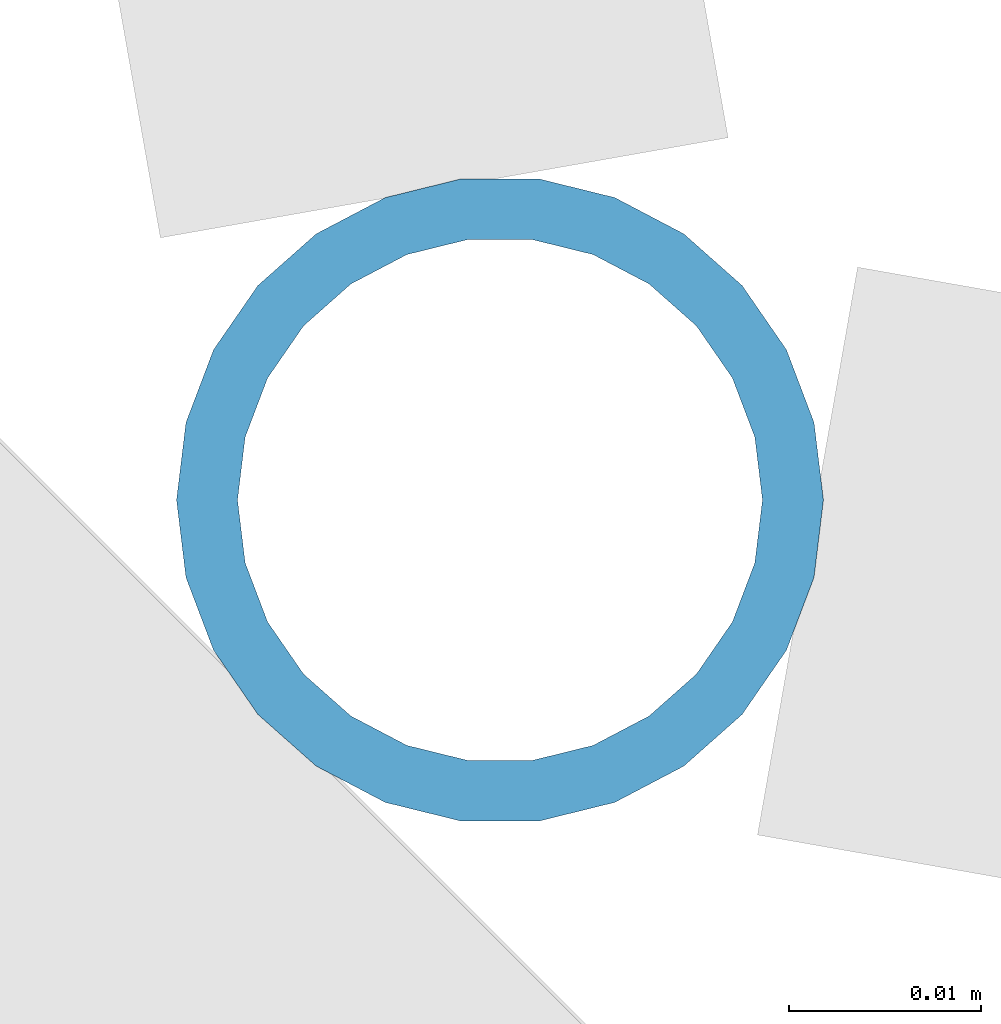
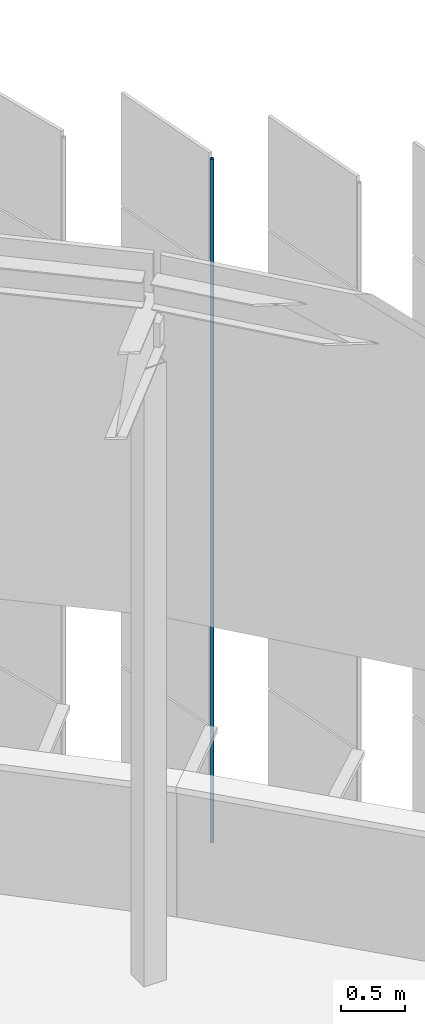
# One storey, part 319 of 483: 1 discrete accessory.
"""IFC4 building model written with IfcOpenShell, lengths in metres."""

from ifc_helpers import new_model, si_unit, direction, frame, origin, origin_2d, place, context, subcontext, project, spatial, hollow_circle, extrude, material, material_profile, profile_set, type_object, element, save


model = new_model("IFC4")

# Units and contexts
model_context = context("Model", 3, precision=1e-05, world=origin(), true_north=direction((0.0, 1.0)))
body_context = subcontext(model_context, "Body", "Model", "MODEL_VIEW")
ifc_project = project(units=[si_unit("LENGTHUNIT", "METRE"), si_unit("AREAUNIT", "SQUARE_METRE"), si_unit("VOLUMEUNIT", "CUBIC_METRE"), si_unit("PLANEANGLEUNIT", "RADIAN"), si_unit("MASSUNIT", "GRAM", prefix="KILO")], contexts=[model_context])

# Site, building, storey
site_placement = place(None, origin())
site = spatial("IfcSite", under=ifc_project, at=site_placement, CompositionType="ELEMENT")
building_placement = place(site_placement, origin())
building = spatial("IfcBuilding", under=site, at=building_placement, Name="Parallax Yard Mobility Hub", CompositionType="ELEMENT")
storey_placement = place(building_placement, frame((0.0, 0.0, 13.199951171875)))
storey = spatial("IfcBuildingStorey", under=building, at=storey_placement, Name="L04", CompositionType="ELEMENT", Elevation=13.199951171875)

# Discrete accessory
ifc_material = material(Name="Steel ASTM A500 Gr C, hot-dip galvanised", Category="steel")
ifc_material_profile = material_profile(ifc_material, hollow_circle(Radius=0.016845703125, WallThickness=0.003173828125, at=origin_2d()), Name="CHS 33.7x3.2")
ifc_profile_set = profile_set([ifc_material_profile], Name="Steel ASTM A500 Gr C, hot-dip galvanised")
discrete_accessory_type = type_object("IfcDiscreteAccessoryType", Name="Hinge post CHS 33.7x3.2", PredefinedType="BRACKET", material=ifc_profile_set)
discrete_accessory_placement = place(storey_placement, frame((210.20166015625, 127.701904296875, 0.0), z_axis=(0.0, 0.0, 1.0), x_axis=(1.0, 0.0, 0.0)))
element("IfcDiscreteAccessory", 1, at=discrete_accessory_placement, inside=storey, type_object=discrete_accessory_type, Name="Hinge post bay 46.1 level L04", PredefinedType="BRACKET", context=body_context, shape_type="SweptSolid", body=[
    extrude(hollow_circle(Radius=0.016845703125, WallThickness=0.003173828125, at=origin_2d()), origin(), (0.0, 0.0, 1.0), 6.550048828125),
])

save(model, "model.ifc")
